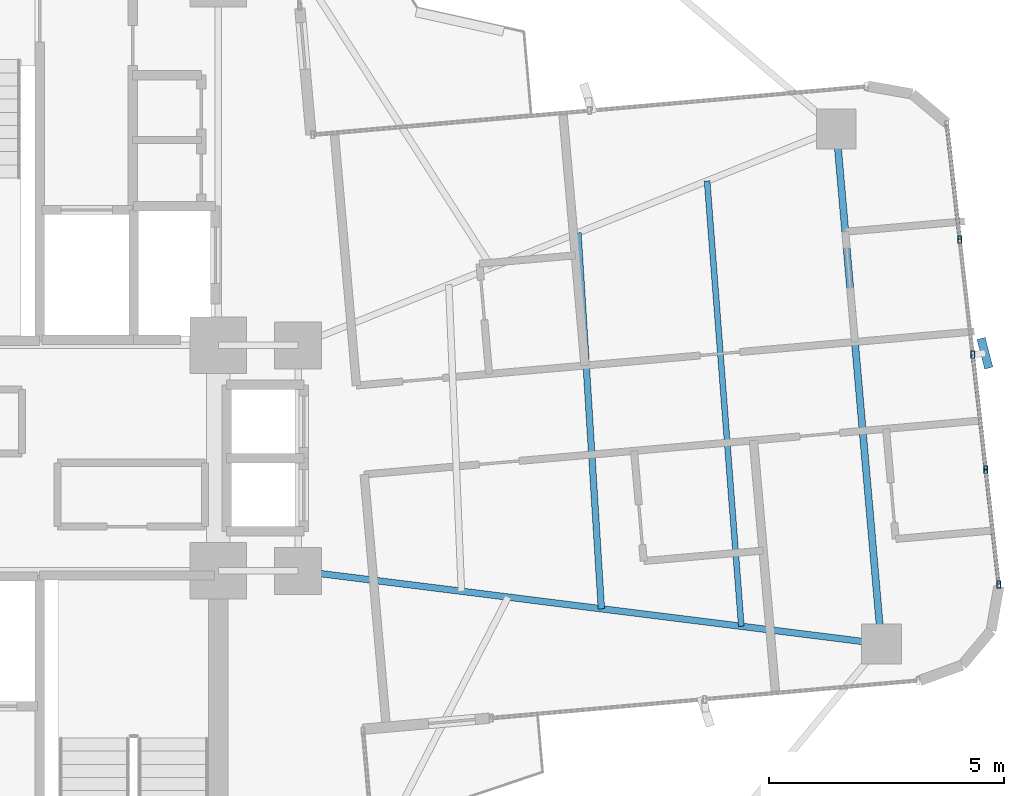
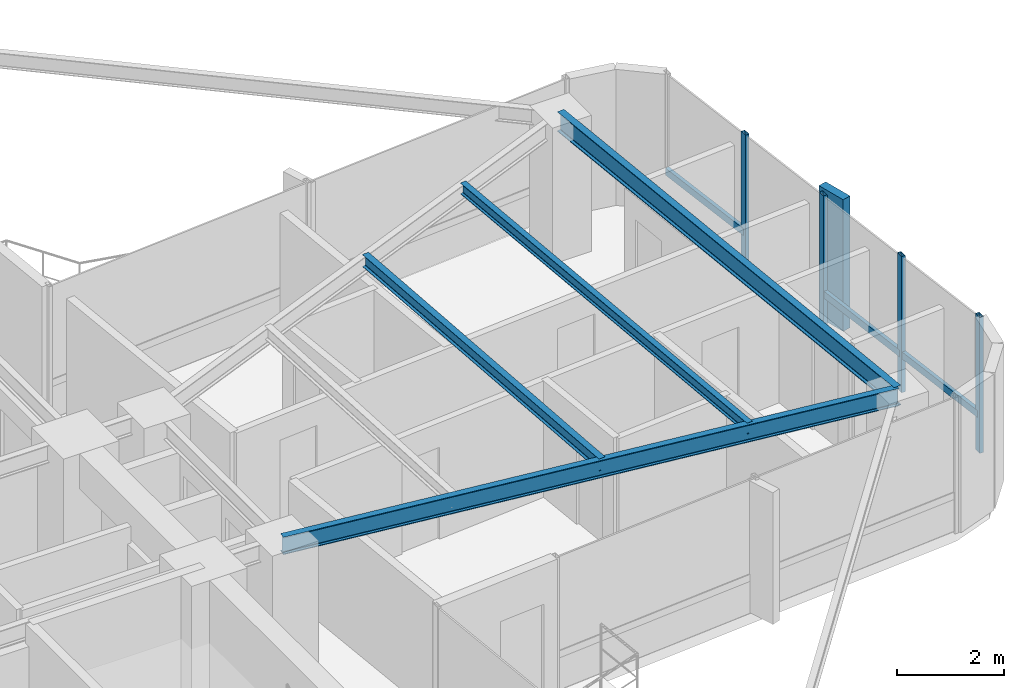
# One storey, part 14 of 24: 8 members, 4 beams, 1 element without a shape of its own.
"""IFC4 building model written with IfcOpenShell, lengths in metres."""

from ifc_helpers import new_model, si_unit, direction, frame, origin, origin_2d, place, context, subcontext, project, spatial, rectangle, hollow_rectangle, i_section, extrude, source, transform, mapped, material, material_profile, profile_set, type_object, element, aggregate, save


model = new_model("IFC4")

# Units and contexts
model_context = context("Model", 3, precision=1e-05, world=origin(), true_north=direction((0.0, 1.0)))
body_context = subcontext(model_context, "Body", "Model", "MODEL_VIEW")
ifc_project = project(units=[si_unit("LENGTHUNIT", "METRE"), si_unit("AREAUNIT", "SQUARE_METRE"), si_unit("VOLUMEUNIT", "CUBIC_METRE"), si_unit("PLANEANGLEUNIT", "RADIAN"), si_unit("MASSUNIT", "GRAM", prefix="KILO")], contexts=[model_context])

# Site, building, storey
site_placement = place(None, origin())
site = spatial("IfcSite", under=ifc_project, at=site_placement, CompositionType="ELEMENT")
building_placement = place(site_placement, origin())
building = spatial("IfcBuilding", under=site, at=building_placement, Name="Sahyath Konkavel Grand Hotel", CompositionType="ELEMENT")
storey_placement = place(building_placement, frame((0.0, 0.0, 164.0)))
storey = spatial("IfcBuildingStorey", under=building, at=storey_placement, Name="L45", CompositionType="ELEMENT", Elevation=164.0)

# Beams
ifc_material_1 = material(Name="Steel E350", Category="steel")
ifc_material_profile_1 = material_profile(ifc_material_1, i_section(OverallWidth=0.139892578125, OverallDepth=0.39990234375, WebThickness=0.0087890625, FlangeThickness=0.01611328125, FilletRadius=0.013916015625, at=origin_2d()), Name="ISMB 400")
ifc_profile_set_1 = profile_set([ifc_material_profile_1], Name="Steel E350")
beam_type_1 = type_object("IfcBeamType", Name="BM-ISMB400", PredefinedType="BEAM", material=ifc_profile_set_1)
shared_shape_1 = source(origin(), body_context, "Body", "SweptSolid", [
    extrude(i_section(OverallWidth=0.139892578125, OverallDepth=0.39990234375, WebThickness=0.0087890625, FlangeThickness=0.01611328125, FilletRadius=0.013916015625, at=origin_2d()), origin(), (0.0, 0.0, 1.0), 12.509765625),
])
beam_1_placement = place(storey_placement, frame((5.5, -2.39990234375, 2.909912109375), z_axis=(0.992254740459, -0.124219684578, 0.0), x_axis=(0.124219684578, 0.992254740459, 0.0)))
element("IfcBeam", 1, at=beam_1_placement, inside=storey, type_object=beam_type_1, Name="L45 Cruciform Radial Girder EA", PredefinedType="BEAM", context=body_context, shape_type="MappedRepresentation", body=[
    mapped(shared_shape_1, transform((0.0, 0.0, 0.0), scale=1.0)),
])
ifc_material_profile_2 = material_profile(ifc_material_1, i_section(OverallWidth=0.14990234375, OverallDepth=0.449951171875, WebThickness=0.009521484375, FlangeThickness=0.017333984375, FilletRadius=0.014892578125, at=origin_2d()), Name="ISMB 450")
ifc_profile_set_2 = profile_set([ifc_material_profile_2], Name="Steel E350")
beam_type_2 = type_object("IfcBeamType", Name="BM-ISMB450", PredefinedType="BEAM", material=ifc_profile_set_2)
shared_shape_2 = source(origin(), body_context, "Body", "SweptSolid", [
    extrude(i_section(OverallWidth=0.14990234375, OverallDepth=0.449951171875, WebThickness=0.009521484375, FlangeThickness=0.017333984375, FilletRadius=0.014892578125, at=origin_2d()), origin(), (0.0, 0.0, 1.0), 11.0),
])
beam_2_placement = place(storey_placement, frame((17.912841796875, -3.953857421875, 2.885009765625), z_axis=(-0.087157314015, 0.996194560622, 0.0), x_axis=(-0.996194560622, -0.087157314015, 0.0)))
element("IfcBeam", 2, at=beam_2_placement, inside=storey, type_object=beam_type_2, Name="L45 Wing Tip Edge Beam E", PredefinedType="BEAM", context=body_context, shape_type="MappedRepresentation", body=[
    mapped(shared_shape_2, transform((0.0, 0.0, 0.0), scale=1.0)),
])
ifc_material_profile_3 = material_profile(ifc_material_1, i_section(OverallWidth=0.139892578125, OverallDepth=0.27490234375, WebThickness=0.00634765625, FlangeThickness=0.0087890625, FilletRadius=0.012939453125, at=origin_2d()), Name="ISLB 275")
ifc_profile_set_3 = profile_set([ifc_material_profile_3], Name="Steel E350")
beam_type_3 = type_object("IfcBeamType", Name="BM-ISLB275", PredefinedType="BEAM", material=ifc_profile_set_3)
shared_shape_3 = source(origin(), body_context, "Body", "SweptSolid", [
    extrude(i_section(OverallWidth=0.139892578125, OverallDepth=0.27490234375, WebThickness=0.00634765625, FlangeThickness=0.0087890625, FilletRadius=0.012939453125, at=origin_2d()), origin(), (0.0, 0.0, 1.0), 8.017822265625),
])
beam_3_placement = place(storey_placement, frame((11.95458984375, -3.2080078125, 2.972412109375), z_axis=(-0.062179233264, 0.998064999362, 0.0), x_axis=(-0.998064999362, -0.062179233264, 0.0)))
element("IfcBeam", 3, at=beam_3_placement, inside=storey, type_object=beam_type_3, Name="L45 Secondary Floor Beam E-2", PredefinedType="BEAM", context=body_context, shape_type="MappedRepresentation", body=[
    mapped(shared_shape_3, transform((0.0, 0.0, 0.0), scale=1.0)),
])
ifc_material_profile_4 = material_profile(ifc_material_1, i_section(OverallWidth=0.125, OverallDepth=0.25, WebThickness=0.0068359375, FlangeThickness=0.012451171875, FilletRadius=0.012939453125, at=origin_2d()), Name="ISMB 250")
ifc_profile_set_4 = profile_set([ifc_material_profile_4], Name="Steel E350")
beam_type_4 = type_object("IfcBeamType", Name="BM-ISMB250", PredefinedType="BEAM", material=ifc_profile_set_4)
shared_shape_4 = source(origin(), body_context, "Body", "SweptSolid", [
    extrude(i_section(OverallWidth=0.125, OverallDepth=0.25, WebThickness=0.0068359375, FlangeThickness=0.012451171875, FilletRadius=0.012939453125, at=origin_2d()), origin(), (0.0, 0.0, 1.0), 9.508056640625),
])
beam_4_placement = place(storey_placement, frame((14.93359375, -3.580810546875, 2.985107421875), z_axis=(-0.076619921029, 0.997060373148, 0.0), x_axis=(-0.997060373148, -0.076619921029, 0.0)))
element("IfcBeam", 4, at=beam_4_placement, inside=storey, type_object=beam_type_4, Name="L45 Secondary Floor Beam E-3", PredefinedType="BEAM", context=body_context, shape_type="MappedRepresentation", body=[
    mapped(shared_shape_4, transform((0.0, 0.0, 0.0), scale=1.0)),
])

# Curtain wall, members
ifc_material_2 = material(Name="Anodised Bronze Aluminium & Low-E Glazing", Category="aluminium")
curtain_wall_type = type_object("IfcCurtainWallType", Name="CW-ZONE3", PredefinedType="NOTDEFINED", material=ifc_material_2)
curtain_wall_placement = place(storey_placement, origin())
curtain_wall = element("IfcCurtainWall", 5, at=curtain_wall_placement, inside=storey, type_object=curtain_wall_type, Name="L45 Unitised Curtain Wall F4", PredefinedType="NOTDEFINED")
ifc_material_3 = material(Name="Warm Buff Sandstone Cladding on Concrete C50/60", Category="masonry")
ifc_material_profile_5 = material_profile(ifc_material_3, rectangle(XDim=0.179931640625, YDim=0.64990234375, at=origin_2d()), Name="FIN 180x650")
ifc_profile_set_5 = profile_set([ifc_material_profile_5], Name="Warm Buff Sandstone Cladding on Concrete C50/60")
member_type_1 = type_object("IfcMemberType", Name="FIN-SANDSTONE-650", PredefinedType="MULLION", material=ifc_profile_set_5)
shared_shape_5 = source(origin(), body_context, "Body", "SweptSolid", [
    extrude(rectangle(XDim=0.179931640625, YDim=0.64990234375, at=origin_2d()), origin(), (0.0, 0.0, 1.0), 3.010009765625),
])
member_1_placement = place(storey_placement, frame((20.1181640625, 2.23095703125, 0.050048828125), z_axis=(0.0, 0.0, 1.0), x_axis=(0.967884912253, 0.251393708421, 0.0)))
member_1 = element("IfcMember", 6, at=member_1_placement, type_object=member_type_1, Name="L45 Sandstone Vertical Solar Fin FIN F4-2", PredefinedType="MULLION", context=body_context, shape_type="MappedRepresentation", body=[
    mapped(shared_shape_5, transform((0.0, 0.0, 0.0), scale=1.0)),
])
ifc_material_4 = material(Name="Anodised Bronze Aluminium", Category="aluminium")
ifc_material_profile_6 = material_profile(ifc_material_4, hollow_rectangle(XDim=0.080078125, YDim=0.159912109375, WallThickness=0.006103515625, at=origin_2d()), Name="RHS 160x80x6")
ifc_profile_set_6 = profile_set([ifc_material_profile_6], Name="Anodised Bronze Aluminium")
member_type_2 = type_object("IfcMemberType", Name="CW-MUL-160", PredefinedType="MULLION", material=ifc_profile_set_6)
shared_shape_6 = source(origin(), body_context, "Body", "SweptSolid", [
    extrude(hollow_rectangle(XDim=0.080078125, YDim=0.159912109375, WallThickness=0.006103515625, at=origin_2d()), origin(), (0.0, 0.0, 1.0), 3.110107421875),
])
member_2_placement = place(storey_placement, frame((20.4111328125, -2.69140625, 0.0), z_axis=(0.0, 0.0, 1.0), x_axis=(1.0, 0.0, 0.0)))
member_2 = element("IfcMember", 7, at=member_2_placement, type_object=member_type_2, Name="L45 Curtain Wall Mullion F4-0", PredefinedType="MULLION", context=body_context, shape_type="MappedRepresentation", body=[
    mapped(shared_shape_6, transform((0.0, 0.0, 0.0), scale=1.0)),
])
member_3_placement = place(storey_placement, frame((20.135498046875, -0.24462890625, 0.0), z_axis=(0.0, 0.0, 1.0), x_axis=(1.0, 0.0, 0.0)))
member_3 = element("IfcMember", 8, at=member_3_placement, type_object=member_type_2, Name="L45 Curtain Wall Mullion F4-1", PredefinedType="MULLION", context=body_context, shape_type="MappedRepresentation", body=[
    mapped(shared_shape_6, transform((0.0, 0.0, 0.0), scale=1.0)),
])
member_4_placement = place(storey_placement, frame((19.859619140625, 2.201904296875, 0.0), z_axis=(0.0, 0.0, 1.0), x_axis=(1.0, 0.0, 0.0)))
member_4 = element("IfcMember", 9, at=member_4_placement, type_object=member_type_2, Name="L45 Curtain Wall Mullion F4-2", PredefinedType="MULLION", context=body_context, shape_type="MappedRepresentation", body=[
    mapped(shared_shape_6, transform((0.0, 0.0, 0.0), scale=1.0)),
])
member_5_placement = place(storey_placement, frame((19.583984375, 4.648193359375, 0.0), z_axis=(0.0, 0.0, 1.0), x_axis=(1.0, 0.0, 0.0)))
member_5 = element("IfcMember", 10, at=member_5_placement, type_object=member_type_2, Name="L45 Curtain Wall Mullion F4-3", PredefinedType="MULLION", context=body_context, shape_type="MappedRepresentation", body=[
    mapped(shared_shape_6, transform((0.0, 0.0, 0.0), scale=1.0)),
])
ifc_material_profile_7 = material_profile(ifc_material_4, hollow_rectangle(XDim=0.080078125, YDim=0.159912109375, WallThickness=0.006103515625, at=origin_2d()), Name="RHS 160x80x6")
ifc_profile_set_7 = profile_set([ifc_material_profile_7], Name="Anodised Bronze Aluminium")
member_type_3 = type_object("IfcMemberType", Name="CW-TRN-160", PredefinedType="USERDEFINED", material=ifc_profile_set_7)
shared_shape_7 = source(origin(), body_context, "Body", "SweptSolid", [
    extrude(hollow_rectangle(XDim=0.080078125, YDim=0.159912109375, WallThickness=0.006103515625, at=origin_2d()), origin(), (0.0, 0.0, 1.0), 2.462158203125),
])
member_6_placement = place(storey_placement, frame((20.4111328125, -2.69140625, 0.85009765625), z_axis=(-0.11194409079, 0.993714506555, 0.0), x_axis=(-0.993714506555, -0.11194409079, 0.0)))
member_6 = element("IfcMember", 11, at=member_6_placement, type_object=member_type_3, Name="L45 Curtain Wall Transom F4-0-spandrel", ObjectType="TRANSOM", PredefinedType="USERDEFINED", context=body_context, shape_type="MappedRepresentation", body=[
    mapped(shared_shape_7, transform((0.0, 0.0, 0.0), scale=1.0)),
])
member_7_placement = place(storey_placement, frame((20.135498046875, -0.24462890625, 0.85009765625), z_axis=(-0.112053040279, 0.99370222711, 0.0), x_axis=(-0.99370222711, -0.112053040279, 0.0)))
member_7 = element("IfcMember", 12, at=member_7_placement, type_object=member_type_3, Name="L45 Curtain Wall Transom F4-1-spandrel", ObjectType="TRANSOM", PredefinedType="USERDEFINED", context=body_context, shape_type="MappedRepresentation", body=[
    mapped(shared_shape_7, transform((0.0, 0.0, 0.0), scale=1.0)),
])
member_8_placement = place(storey_placement, frame((19.583984375, 4.648193359375, 0.85009765625), z_axis=(-0.11194409079, 0.993714506555, 0.0), x_axis=(-0.993714506555, -0.11194409079, 0.0)))
member_8 = element("IfcMember", 13, at=member_8_placement, type_object=member_type_3, Name="L45 Curtain Wall Transom F4-3-spandrel", ObjectType="TRANSOM", PredefinedType="USERDEFINED", context=body_context, shape_type="MappedRepresentation", body=[
    mapped(shared_shape_7, transform((0.0, 0.0, 0.0), scale=1.0)),
])
aggregate(curtain_wall, [member_2, member_3, member_4, member_1, member_5, member_6, member_7, member_8])

save(model, "model.ifc")
